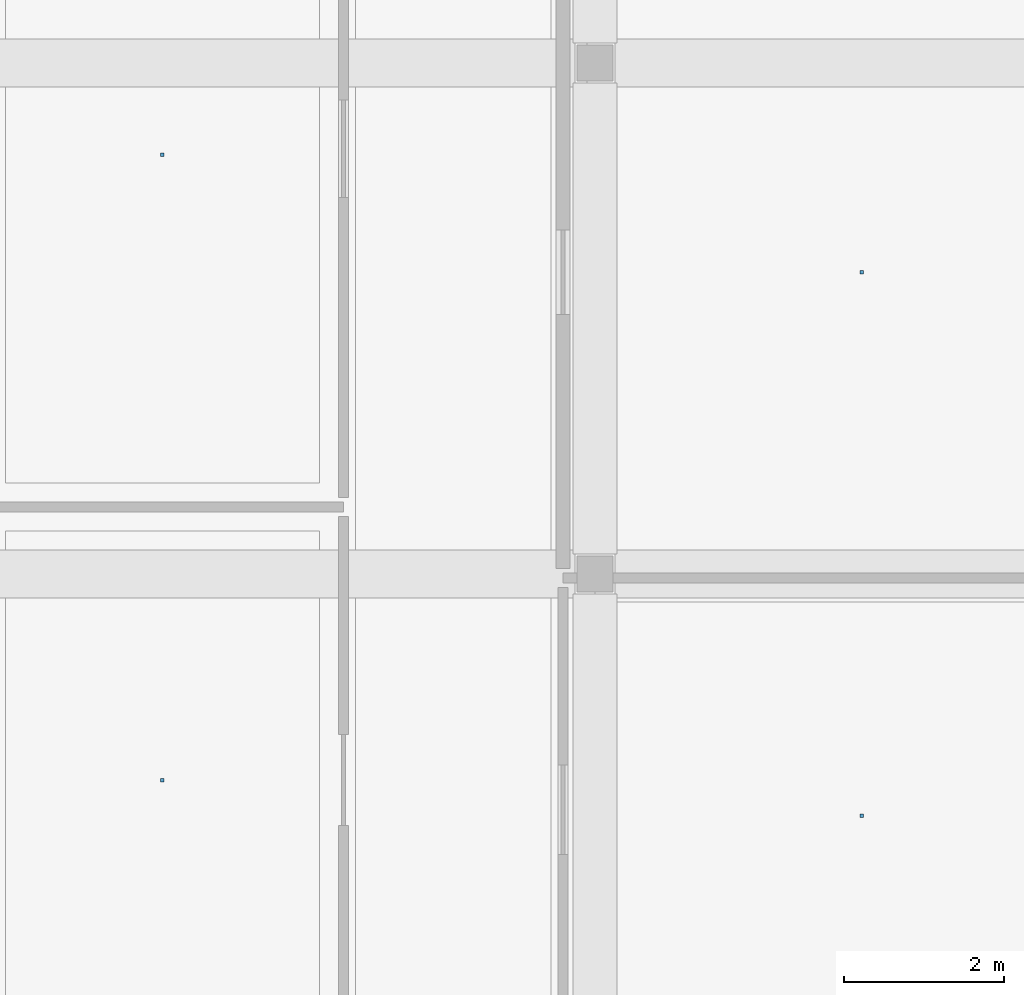
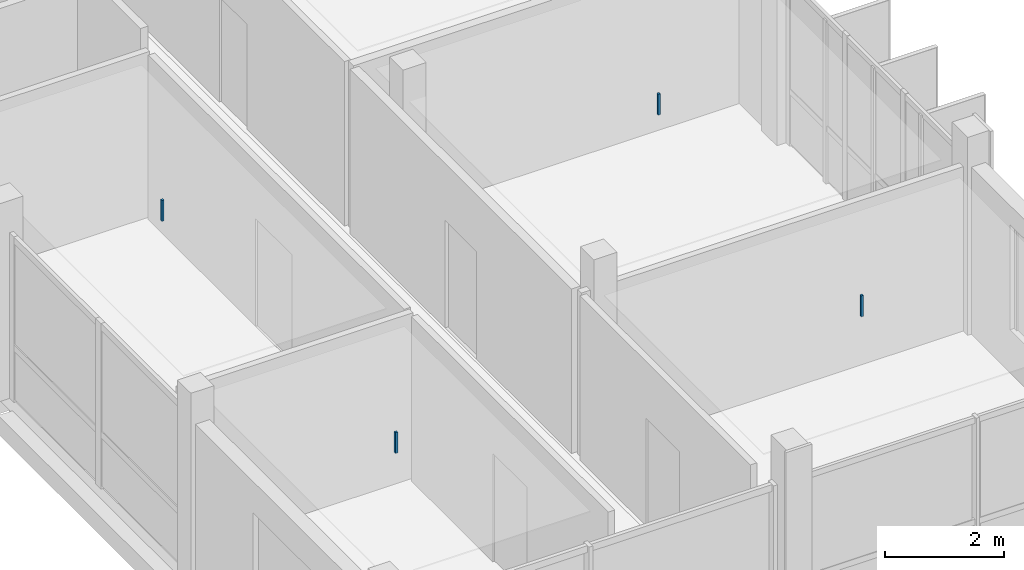
# One storey, part 70 of 86: 4 discrete accessories.
"""IFC4 building model written with IfcOpenShell, lengths in metres."""

from ifc_helpers import new_model, si_unit, derived_unit, direction, frame, origin, origin_2d, place, context, subcontext, project, spatial, rectangle, extrude, material, type_object, element, save


model = new_model("IFC4")

# Units and contexts
model_context = context("Model", 3, precision=1e-05, world=origin(), true_north=direction((0.0, 1.0)))
body_context = subcontext(model_context, "Body", "Model", "MODEL_VIEW")
ifc_project = project(units=[si_unit("LENGTHUNIT", "METRE"), si_unit("AREAUNIT", "SQUARE_METRE"), si_unit("VOLUMEUNIT", "CUBIC_METRE"), si_unit("PLANEANGLEUNIT", "RADIAN"), si_unit("MASSUNIT", "GRAM", prefix="KILO"), derived_unit("THERMALTRANSMITTANCEUNIT", [(si_unit("POWERUNIT", "WATT"), 1), (si_unit("LENGTHUNIT", "METRE"), -2), (si_unit("THERMODYNAMICTEMPERATUREUNIT", "KELVIN"), -1)])], contexts=[model_context])

# Site, building, storey
site_placement = place(None, origin())
site = spatial("IfcSite", under=ifc_project, at=site_placement, CompositionType="ELEMENT")
building_placement = place(site_placement, origin())
building = spatial("IfcBuilding", under=site, at=building_placement, Name="Braskholm Square Health Centre", CompositionType="ELEMENT")
storey_placement = place(building_placement, frame((0.0, 0.0, 13.5)))
storey = spatial("IfcBuildingStorey", under=building, at=storey_placement, Name="L04", CompositionType="ELEMENT", Elevation=13.5)

# Discrete accessories
ifc_material = material(Name="Steel ASTM A500 Grade C", Category="steel")
discrete_accessory_type = type_object("IfcDiscreteAccessoryType", Name="CeilingSuspensionBracket", PredefinedType="BRACKET", material=ifc_material)
for number, where, z_axis, x_axis, name in (
    (1, (159.93994140625, 7.574951171875, 3.35205078125), (0.0, 0.0, 1.0), (1.0, 0.0, 0.0), "Ceiling hanger bracket 0170"),
    (2, (159.93994140625, 14.3798828125, 3.35205078125), (0.0, 0.0, 1.0), (1.0, 0.0, 0.0), "Ceiling hanger bracket 0171"),
    (3, (151.18505859375, 8.02001953125, 3.35205078125), (0.0, 0.0, 1.0), (1.0, 0.0, 0.0), "Ceiling hanger bracket 0182"),
    (4, (151.18505859375, 15.85009765625, 3.35205078125), (0.0, 0.0, 1.0), (1.0, 0.0, 0.0), "Ceiling hanger bracket 0183"),
):
    element("IfcDiscreteAccessory", number, at=place(storey_placement, frame(where, z_axis=z_axis, x_axis=x_axis)), inside=storey, type_object=discrete_accessory_type, Name=name, PredefinedType="BRACKET", context=body_context, shape_type="SweptSolid", body=[
        extrude(rectangle(XDim=0.044921875, YDim=0.044921875, at=origin_2d()), origin(), (0.0, 0.0, 1.0), 0.429931640625),
    ])

save(model, "model.ifc")
